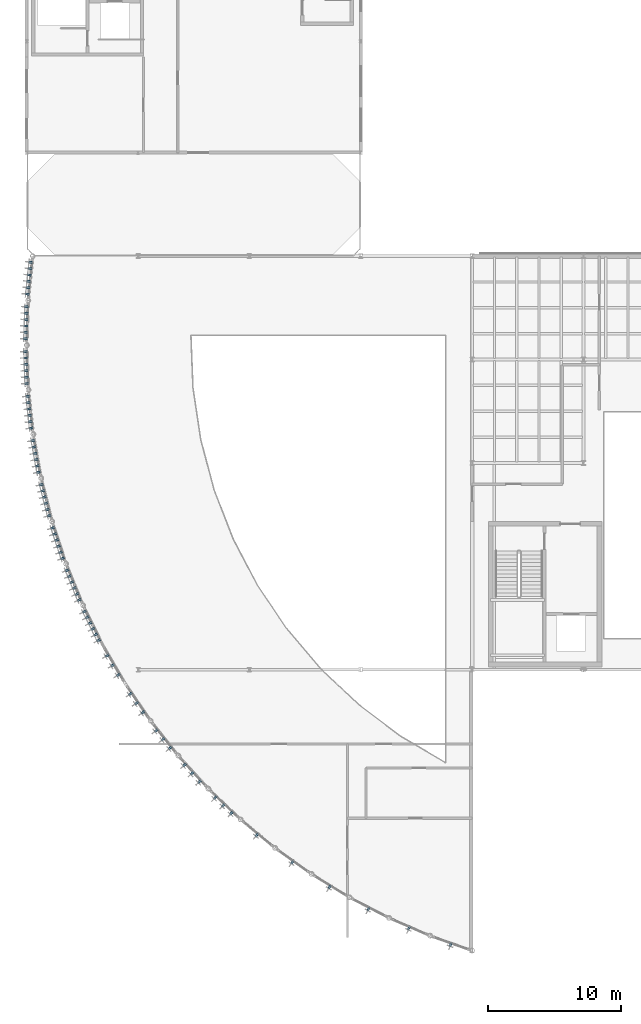
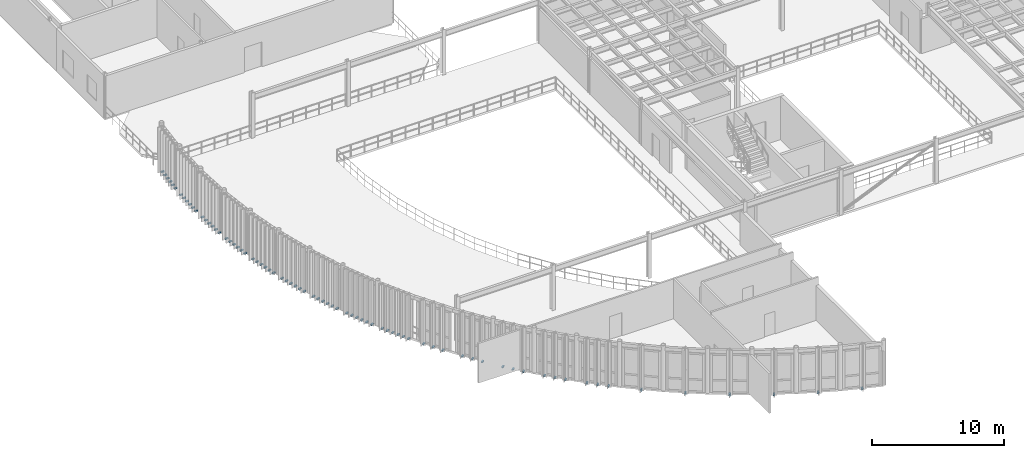
# One storey, part 25 of 32: 75 discrete accessories.
"""IFC4 building model written with IfcOpenShell, lengths in metres."""

from ifc_helpers import new_model, si_unit, direction, frame, origin, origin_2d, place, context, subcontext, project, spatial, rectangle, extrude, material, type_object, element, save


model = new_model("IFC4")

# Units and contexts
model_context = context("Model", 3, precision=1e-05, world=origin(), true_north=direction((0.0, 1.0)))
body_context = subcontext(model_context, "Body", "Model", "MODEL_VIEW")
ifc_project = project(units=[si_unit("LENGTHUNIT", "METRE"), si_unit("AREAUNIT", "SQUARE_METRE"), si_unit("VOLUMEUNIT", "CUBIC_METRE"), si_unit("PLANEANGLEUNIT", "RADIAN"), si_unit("MASSUNIT", "GRAM", prefix="KILO")], contexts=[model_context])

# Site, building, storey
site_placement = place(None, origin())
site = spatial("IfcSite", under=ifc_project, at=site_placement, CompositionType="ELEMENT")
building_placement = place(site_placement, origin())
building = spatial("IfcBuilding", under=site, at=building_placement, Name="Selat Folded Stagehouse", CompositionType="ELEMENT")
storey_placement = place(building_placement, frame((0.0, 0.0, 19.199951171875)))
storey = spatial("IfcBuildingStorey", under=building, at=storey_placement, Name="L04", CompositionType="ELEMENT", Elevation=19.199951171875)

# Discrete accessories
ifc_material = material(Name="Stainless steel 1.4401", Category="steel")
discrete_accessory_type = type_object("IfcDiscreteAccessoryType", Name="ACC-BRK-280x140x110", PredefinedType="BRACKET", material=ifc_material)
for number, where, z_axis, x_axis, name in (
    (1, (0.28759765625, 54.13671875, -0.134765625), (0.0, 0.0, 1.0), (-0.991827775753, 0.127583945876, 0.0), "L04 solar fin slab bracket 004"),
    (2, (0.23779296875, 53.656494140625, -0.134765625), (0.0, 0.0, 1.0), (-0.993068456955, 0.117537397458, 0.0), "L04 solar fin slab bracket 009"),
    (3, (0.1884765625, 53.1767578125, -0.134765625), (0.0, 0.0, 1.0), (-0.994188602291, 0.107652324982, 0.0), "L04 solar fin slab bracket 014"),
    (4, (0.138916015625, 52.69677734375, -0.134765625), (0.0, 0.0, 1.0), (-0.995227399982, 0.097582899759, 0.0), "L04 solar fin slab bracket 019"),
    (5, (0.08935546875, 52.216796875, -0.134765625), (0.0, 0.0, 1.0), (-0.996148926897, 0.087677337101, 0.0), "L04 solar fin slab bracket 024"),
    (6, (0.039794921875, 51.73681640625, -0.134765625), (0.0, 0.0, 1.0), (-0.996971865568, 0.077763097071, 0.0), "L04 solar fin slab bracket 029"),
    (7, (-0.025390625, 50.774658203125, -0.134765625), (0.0, 0.0, 1.0), (-0.99833175459, 0.0577382696, 0.0), "L04 solar fin slab bracket 035"),
    (8, (-0.041259765625, 50.29248046875, -0.134765625), (0.0, 0.0, 1.0), (-0.998865073158, 0.047629461744, 0.0), "L04 solar fin slab bracket 041"),
    (9, (-0.056884765625, 49.810302734375, -0.134765625), (0.0, 0.0, 1.0), (-0.999289472641, 0.03769018267, 0.0), "L04 solar fin slab bracket 047"),
    (10, (-0.07275390625, 49.327880859375, -0.134765625), (0.0, 0.0, 1.0), (-0.999619800631, 0.027572707275, 0.0), "L04 solar fin slab bracket 053"),
    (11, (-0.08837890625, 48.845703125, -0.134765625), (0.0, 0.0, 1.0), (-0.999844633908, 0.017626912514, 0.0), "L04 solar fin slab bracket 059"),
    (12, (-0.104248046875, 48.363525390625, -0.134765625), (0.0, 0.0, 1.0), (-0.999971838252, 0.007504845333, 0.0), "L04 solar fin slab bracket 065"),
    (13, (-0.101806640625, 47.399169921875, -0.134765625), (0.0, 0.0, 1.0), (-0.999921044204, -0.012566039883, 0.0), "L04 solar fin slab bracket 071"),
    (14, (-0.083740234375, 46.9169921875, -0.134765625), (0.0, 0.0, 1.0), (-0.999746553782, -0.022512845226, 0.0), "L04 solar fin slab bracket 077"),
    (15, (-0.065673828125, 46.434814453125, -0.134765625), (0.0, 0.0, 1.0), (-0.999467438949, -0.032631862958, 0.0), "L04 solar fin slab bracket 083"),
    (16, (-0.04736328125, 45.95263671875, -0.134765625), (0.0, 0.0, 1.0), (-0.9990933519, -0.042573162788, 0.0), "L04 solar fin slab bracket 089"),
    (17, (-0.029296875, 45.470703125, -0.134765625), (0.0, 0.0, 1.0), (-0.998620385197, -0.052510249179, 0.0), "L04 solar fin slab bracket 095"),
    (18, (-0.01123046875, 44.98828125, -0.134765625), (0.0, 0.0, 1.0), (-0.99803767224, -0.06261633005, 0.0), "L04 solar fin slab bracket 101"),
    (19, (0.058837890625, 44.026611328125, -0.134765625), (0.0, 0.0, 1.0), (-0.996579940078, -0.08263427276, 0.0), "L04 solar fin slab bracket 107"),
    (20, (0.11083984375, 43.546875, -0.134765625), (0.0, 0.0, 1.0), (-0.99570856131, -0.092544372783, 0.0), "L04 solar fin slab bracket 113"),
    (21, (0.16259765625, 43.067138671875, -0.134765625), (0.0, 0.0, 1.0), (-0.994720742649, -0.10261892683, 0.0), "L04 solar fin slab bracket 119"),
    (22, (0.214599609375, 42.58740234375, -0.134765625), (0.0, 0.0, 1.0), (-0.993650644295, -0.112509542228, 0.0), "L04 solar fin slab bracket 125"),
    (23, (0.2666015625, 42.10791015625, -0.134765625), (0.0, 0.0, 1.0), (-0.992460828919, -0.122562241583, 0.0), "L04 solar fin slab bracket 131"),
    (24, (0.318359375, 41.628173828125, -0.134765625), (0.0, 0.0, 1.0), (-0.99119244206, -0.13242938799, 0.0), "L04 solar fin slab bracket 137"),
    (25, (0.455810546875, 40.673583984375, -0.134765625), (0.0, 0.0, 1.0), (-0.988334944875, -0.152295885498, 0.0), "L04 solar fin slab bracket 143"),
    (26, (0.541015625, 40.19873046875, -0.134765625), (0.0, 0.0, 1.0), (-0.986770965572, -0.162120515372, 0.0), "L04 solar fin slab bracket 149"),
    (27, (0.62646484375, 39.723876953125, -0.134765625), (0.0, 0.0, 1.0), (-0.985079303862, -0.172101031672, 0.0), "L04 solar fin slab bracket 155"),
    (28, (0.7119140625, 39.248779296875, -0.134765625), (0.0, 0.0, 1.0), (-0.983318459858, -0.181892293686, 0.0), "L04 solar fin slab bracket 161"),
    (29, (0.79736328125, 38.774169921875, -0.134765625), (0.0, 0.0, 1.0), (-0.981426830534, -0.191836848149, 0.0), "L04 solar fin slab bracket 167"),
    (30, (0.8828125, 38.29931640625, -0.134765625), (0.0, 0.0, 1.0), (-0.979469831173, -0.20159079796, 0.0), "L04 solar fin slab bracket 173"),
    (31, (1.086669921875, 37.356689453125, -0.134765625), (0.0, 0.0, 1.0), (-0.975226629909, -0.22120809279, 0.0), "L04 solar fin slab bracket 179"),
    (32, (1.205078125, 36.888916015625, -0.134765625), (0.0, 0.0, 1.0), (-0.972937431695, -0.231068721395, 0.0), "L04 solar fin slab bracket 185"),
    (33, (1.32373046875, 36.421142578125, -0.134765625), (0.0, 0.0, 1.0), (-0.970590565411, -0.240736275485, 0.0), "L04 solar fin slab bracket 191"),
    (34, (1.442138671875, 35.95361328125, -0.134765625), (0.0, 0.0, 1.0), (-0.968103926078, -0.25054897388, 0.0), "L04 solar fin slab bracket 197"),
    (35, (1.560791015625, 35.48583984375, -0.134765625), (0.0, 0.0, 1.0), (-0.965563505285, -0.260167479254, 0.0), "L04 solar fin slab bracket 203"),
    (36, (1.67919921875, 35.01806640625, -0.134765625), (0.0, 0.0, 1.0), (-0.962880426559, -0.26992829446, 0.0), "L04 solar fin slab bracket 209"),
    (37, (1.94873046875, 34.092041015625, -0.134765625), (0.0, 0.0, 1.0), (-0.957319497532, -0.289031796944, 0.0), "L04 solar fin slab bracket 215"),
    (38, (2.099853515625, 33.6337890625, -0.134765625), (0.0, 0.0, 1.0), (-0.954344655307, -0.298707681332, 0.0), "L04 solar fin slab bracket 221"),
    (39, (2.250732421875, 33.175537109375, -0.134765625), (0.0, 0.0, 1.0), (-0.951325822325, -0.308186923436, 0.0), "L04 solar fin slab bracket 227"),
    (40, (2.40185546875, 32.71728515625, -0.134765625), (0.0, 0.0, 1.0), (-0.94815738489, -0.317801153992, 0.0), "L04 solar fin slab bracket 233"),
    (41, (2.552978515625, 32.259033203125, -0.134765625), (0.0, 0.0, 1.0), (-0.944948912158, -0.327217898979, 0.0), "L04 solar fin slab bracket 239"),
    (42, (2.7041015625, 31.80078125, -0.134765625), (0.0, 0.0, 1.0), (-0.941588155895, -0.336766602676, 0.0), "L04 solar fin slab bracket 245"),
    (43, (3.037841796875, 30.89599609375, -0.134765625), (0.0, 0.0, 1.0), (-0.93463961469, -0.355596387288, 0.0), "L04 solar fin slab bracket 251"),
    (44, (3.220703125, 30.44970703125, -0.134765625), (0.0, 0.0, 1.0), (-0.931055815863, -0.364876784338, 0.0), "L04 solar fin slab bracket 257"),
    (45, (3.4033203125, 30.003173828125, -0.134765625), (0.0, 0.0, 1.0), (-0.927314560446, -0.374282922379, 0.0), "L04 solar fin slab bracket 263"),
    (46, (3.586181640625, 29.556640625, -0.134765625), (0.0, 0.0, 1.0), (-0.923545226472, -0.383489523534, 0.0), "L04 solar fin slab bracket 269"),
    (47, (3.76904296875, 29.110107421875, -0.134765625), (0.0, 0.0, 1.0), (-0.91961594401, -0.392818680211, 0.0), "L04 solar fin slab bracket 275"),
    (48, (3.951904296875, 28.66357421875, -0.134765625), (0.0, 0.0, 1.0), (-0.91566259334, -0.401947776656, 0.0), "L04 solar fin slab bracket 281"),
    (49, (4.348388671875, 27.784423828125, -0.134765625), (0.0, 0.0, 1.0), (-0.907411091929, -0.420244107924, 0.0), "L04 solar fin slab bracket 287"),
    (50, (4.56201171875, 27.351806640625, -0.134765625), (0.0, 0.0, 1.0), (-0.903185511225, -0.429250430767, 0.0), "L04 solar fin slab bracket 293"),
    (51, (4.775634765625, 26.919189453125, -0.134765625), (0.0, 0.0, 1.0), (-0.898794046299, -0.438371146789, 0.0), "L04 solar fin slab bracket 299"),
    (52, (4.9892578125, 26.486572265625, -0.134765625), (0.0, 0.0, 1.0), (-0.89438856037, -0.447290848419, 0.0), "L04 solar fin slab bracket 305"),
    (53, (5.202880859375, 26.053955078125, -0.134765625), (0.0, 0.0, 1.0), (-0.889814927768, -0.4563215909, 0.0), "L04 solar fin slab bracket 311"),
    (54, (5.41650390625, 25.621337890625, -0.134765625), (0.0, 0.0, 1.0), (-0.885231311332, -0.465151078077, 0.0), "L04 solar fin slab bracket 317"),
    (55, (6.056396484375, 24.459716796875, -0.134765625), (0.0, 0.0, 1.0), (-0.872069272432, -0.489382451749, 0.0), "L04 solar fin slab bracket 323"),
    (56, (6.482421875, 23.73095703125, -0.134765625), (0.0, 0.0, 1.0), (-0.863307480775, -0.504678307081, 0.0), "L04 solar fin slab bracket 329"),
    (57, (6.90869140625, 23.001953125, -0.134765625), (0.0, 0.0, 1.0), (-0.854368143929, -0.519668235165, 0.0), "L04 solar fin slab bracket 335"),
    (58, (7.810791015625, 21.57568359375, -0.134765625), (0.0, 0.0, 1.0), (-0.835615665335, -0.549314536351, 0.0), "L04 solar fin slab bracket 341"),
    (59, (8.287109375, 20.87841796875, -0.134765625), (0.0, 0.0, 1.0), (-0.82580311972, -0.563958515726, 0.0), "L04 solar fin slab bracket 347"),
    (60, (8.76318359375, 20.18115234375, -0.134765625), (0.0, 0.0, 1.0), (-0.815733970499, -0.578427255041, 0.0), "L04 solar fin slab bracket 353"),
    (61, (9.763427734375, 18.82177734375, -0.134765625), (0.0, 0.0, 1.0), (-0.794944353388, -0.606682351002, 0.0), "L04 solar fin slab bracket 359"),
    (62, (10.287353515625, 18.15966796875, -0.134765625), (0.0, 0.0, 1.0), (-0.784235212544, -0.620463642292, 0.0), "L04 solar fin slab bracket 365"),
    (63, (10.811279296875, 17.49755859375, -0.134765625), (0.0, 0.0, 1.0), (-0.773176510644, -0.634190888762, 0.0), "L04 solar fin slab bracket 371"),
    (64, (11.904296875, 16.211669921875, -0.134765625), (0.0, 0.0, 1.0), (-0.750457228874, -0.660919017453, 0.0), "L04 solar fin slab bracket 377"),
    (65, (12.473388671875, 15.587890625, -0.134765625), (0.0, 0.0, 1.0), (-0.738690671568, -0.674044576967, 0.0), "L04 solar fin slab bracket 383"),
    (66, (13.04248046875, 14.964111328125, -0.134765625), (0.0, 0.0, 1.0), (-0.726814465487, -0.686833846544, 0.0), "L04 solar fin slab bracket 389"),
    (67, (14.222900390625, 13.758056640625, -0.134765625), (0.0, 0.0, 1.0), (-0.702277314289, -0.711903486321, 0.0), "L04 solar fin slab bracket 395"),
    (68, (14.83447265625, 13.17578125, -0.134765625), (0.0, 0.0, 1.0), (-0.689619543736, -0.724171861437, 0.0), "L04 solar fin slab bracket 401"),
    (69, (15.44580078125, 12.59326171875, -0.134765625), (0.0, 0.0, 1.0), (-0.676875969683, -0.73609708712, 0.0), "L04 solar fin slab bracket 407"),
    (70, (17.35888671875, 10.93505859375, -0.134765625), (0.0, 0.0, 1.0), (-0.63715499106, -0.770735698776, 0.0), "L04 solar fin slab bracket 413"),
    (71, (20.0341796875, 8.877197265625, -0.134765625), (0.0, 0.0, 1.0), (-0.581555176926, -0.813506961366, 0.0), "L04 solar fin slab bracket 417"),
    (72, (22.847412109375, 7.01171875, -0.134765625), (0.0, 0.0, 1.0), (-0.523093692466, -0.852275183789, 0.0), "L04 solar fin slab bracket 421"),
    (73, (25.784423828125, 5.348388671875, -0.134765625), (0.0, 0.0, 1.0), (-0.461903418797, -0.886930229333, 0.0), "L04 solar fin slab bracket 425"),
    (74, (28.830810546875, 3.895263671875, -0.134765625), (0.0, 0.0, 1.0), (-0.398589005675, -0.917129655259, 0.0), "L04 solar fin slab bracket 429"),
    (75, (31.9716796875, 2.6591796875, -0.134765625), (0.0, 0.0, 1.0), (-0.333313247568, -0.942816142732, 0.0), "L04 solar fin slab bracket 433"),
):
    element("IfcDiscreteAccessory", number, at=place(storey_placement, frame(where, z_axis=z_axis, x_axis=x_axis)), inside=storey, type_object=discrete_accessory_type, Name=name, PredefinedType="BRACKET", context=body_context, shape_type="SweptSolid", body=[
        extrude(rectangle(XDim=0.280029296875, YDim=0.139892578125, at=origin_2d()), origin(), (0.0, 0.0, 1.0), 0.110107421875),
    ])

save(model, "model.ifc")
